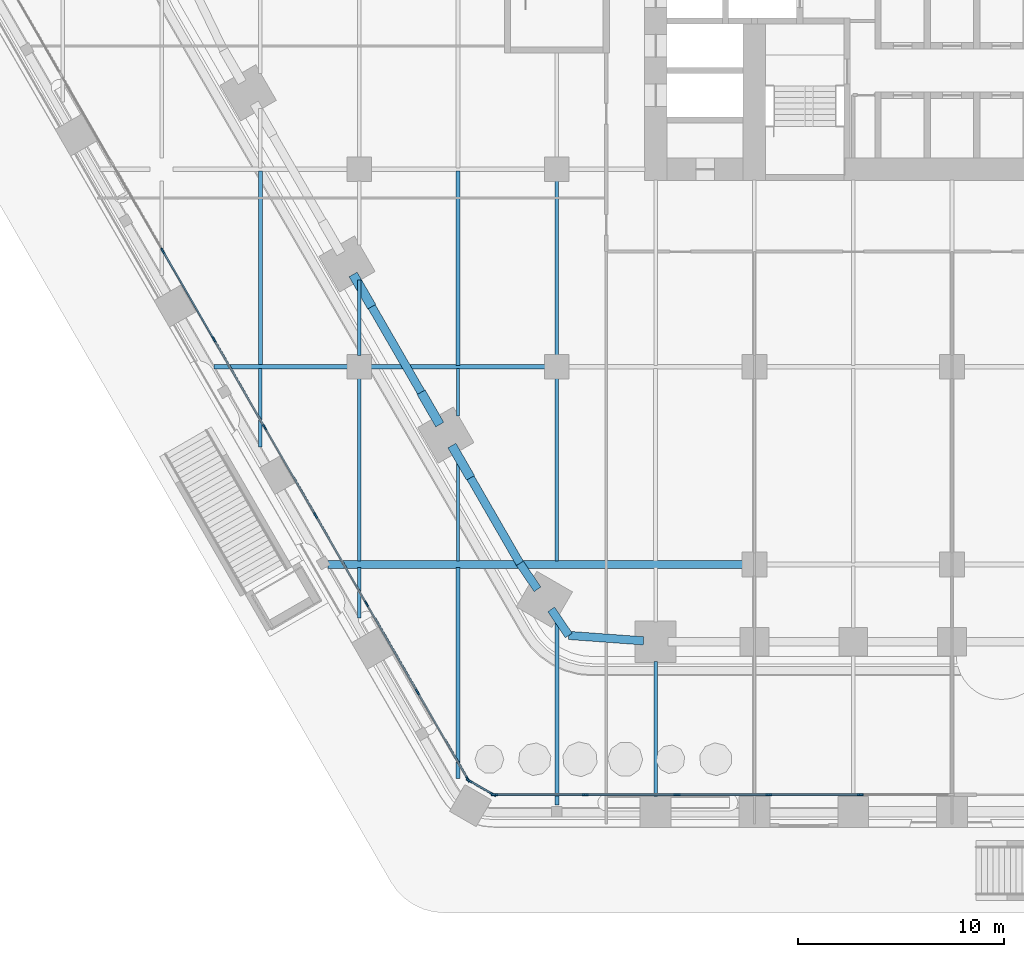
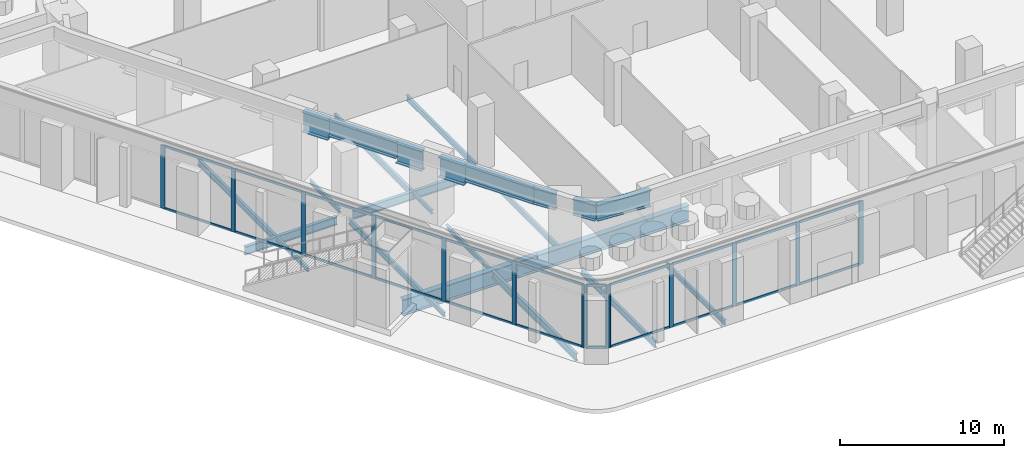
# One storey, part 2 of 34: 36 members, 24 beams, 3 elements without a shape of their own.
"""IFC4 building model written with IfcOpenShell, lengths in metres."""

from ifc_helpers import new_model, si_unit, direction, frame, origin, origin_2d, place, context, subcontext, project, spatial, rectangle, i_section, extrude, material, material_profile, profile_set, type_object, element, aggregate, save


model = new_model("IFC4")

# Units and contexts
model_context = context("Model", 3, precision=1e-05, world=origin(), true_north=direction((0.0, 1.0)))
body_context = subcontext(model_context, "Body", "Model", "MODEL_VIEW")
ifc_project = project(units=[si_unit("LENGTHUNIT", "METRE"), si_unit("AREAUNIT", "SQUARE_METRE"), si_unit("VOLUMEUNIT", "CUBIC_METRE"), si_unit("PLANEANGLEUNIT", "RADIAN"), si_unit("MASSUNIT", "GRAM", prefix="KILO")], contexts=[model_context])

# Site, building, storey
site_placement = place(None, origin())
site = spatial("IfcSite", under=ifc_project, at=site_placement, CompositionType="ELEMENT")
building_placement = place(site_placement, origin())
building = spatial("IfcBuilding", under=site, at=building_placement, Name="Kolab Exchange Tower", CompositionType="ELEMENT")
storey_placement = place(building_placement, frame((0.0, 0.0, 12.39990234375)))
storey = spatial("IfcBuildingStorey", under=building, at=storey_placement, Name="L02", CompositionType="ELEMENT", Elevation=12.39990234375)

# Beams
ifc_material_1 = material(Name="Steel S355", Category="steel")
ifc_material_profile_1 = material_profile(ifc_material_1, i_section(OverallWidth=0.1650390625, OverallDepth=0.31005859375, WebThickness=0.005859375, FlangeThickness=0.009765625, at=origin_2d()), Name="W310X39")
ifc_profile_set_1 = profile_set([ifc_material_profile_1], Name="Steel S355")
beam_type_1 = type_object("IfcBeamType", Name="FLOOR BEAM W310X39", PredefinedType="BEAM", material=ifc_profile_set_1)
beam_1_placement = place(storey_placement, frame((-33.60009765625, -23.08154296875, -0.454833984375), z_axis=(0.0, 1.0, 0.0), x_axis=(-1.0, 0.0, 0.0)))
element("IfcBeam", 1, at=beam_1_placement, inside=storey, type_object=beam_type_1, Name="beam/L02/fr/006", PredefinedType="BEAM", context=body_context, shape_type="SweptSolid", body=[
    extrude(i_section(OverallWidth=0.1650390625, OverallDepth=0.31005859375, WebThickness=0.005859375, FlangeThickness=0.009765625, at=origin_2d()), origin(), (0.0, 0.0, 1.0), 3.8076171875),
])
beam_2_placement = place(storey_placement, frame((-28.800048828125, -31.3955078125, -0.454833984375), z_axis=(0.0, 1.0, 0.0), x_axis=(-1.0, 0.0, 0.0)))
element("IfcBeam", 2, at=beam_2_placement, inside=storey, type_object=beam_type_1, Name="beam/L02/fr/013", PredefinedType="BEAM", context=body_context, shape_type="SweptSolid", body=[
    extrude(i_section(OverallWidth=0.1650390625, OverallDepth=0.31005859375, WebThickness=0.005859375, FlangeThickness=0.009765625, at=origin_2d()), origin(), (0.0, 0.0, 1.0), 2.435546875),
])
beam_3_placement = place(storey_placement, frame((-28.800048828125, -18.639892578125, -0.454833984375), z_axis=(0.0, 1.0, 0.0), x_axis=(-1.0, 0.0, 0.0)))
element("IfcBeam", 3, at=beam_3_placement, inside=storey, type_object=beam_type_1, Name="beam/L02/fr/015", PredefinedType="BEAM", context=body_context, shape_type="SweptSolid", body=[
    extrude(i_section(OverallWidth=0.1650390625, OverallDepth=0.31005859375, WebThickness=0.005859375, FlangeThickness=0.009765625, at=origin_2d()), origin(), (0.0, 0.0, 1.0), 3.668701171875),
])
beam_4_placement = place(storey_placement, frame((-24.0, -28.639892578125, -0.454833984375), z_axis=(0.0, 1.0, 0.0), x_axis=(-1.0, 0.0, 0.0)))
element("IfcBeam", 4, at=beam_4_placement, inside=storey, type_object=beam_type_1, Name="beam/L02/fr/023", PredefinedType="BEAM", context=body_context, shape_type="SweptSolid", body=[
    extrude(i_section(OverallWidth=0.1650390625, OverallDepth=0.31005859375, WebThickness=0.005859375, FlangeThickness=0.009765625, at=origin_2d()), origin(), (0.0, 0.0, 1.0), 5.35498046875),
])
beam_5_placement = place(storey_placement, frame((-24.0, -21.58154296875, -0.454833984375), z_axis=(0.0, 1.0, 0.0), x_axis=(-1.0, 0.0, 0.0)))
element("IfcBeam", 5, at=beam_5_placement, inside=storey, type_object=beam_type_1, Name="beam/L02/fr/024", PredefinedType="BEAM", context=body_context, shape_type="SweptSolid", body=[
    extrude(i_section(OverallWidth=0.1650390625, OverallDepth=0.31005859375, WebThickness=0.005859375, FlangeThickness=0.009765625, at=origin_2d()), origin(), (0.0, 0.0, 1.0), 2.3076171875),
])
ifc_material_profile_2 = material_profile(ifc_material_1, i_section(OverallWidth=0.1708984375, OverallDepth=0.35498046875, WebThickness=0.007080078125, FlangeThickness=0.01171875, at=origin_2d()), Name="W360X51")
ifc_profile_set_2 = profile_set([ifc_material_profile_2], Name="Steel S355")
beam_type_2 = type_object("IfcBeamType", Name="FLOOR BEAM W360X51", PredefinedType="BEAM", material=ifc_profile_set_2)
beam_6_placement = place(storey_placement, frame((-14.39990234375, -40.6591796875, -0.477294921875), z_axis=(0.0, 1.0, 0.0), x_axis=(-1.0, 0.0, 0.0)))
element("IfcBeam", 6, at=beam_6_placement, inside=storey, type_object=beam_type_2, Name="beam/L02/fr/039", PredefinedType="BEAM", context=body_context, shape_type="SweptSolid", body=[
    extrude(i_section(OverallWidth=0.1708984375, OverallDepth=0.35498046875, WebThickness=0.007080078125, FlangeThickness=0.01171875, at=origin_2d()), origin(), (0.0, 0.0, 1.0), 7.143798828125),
])
ifc_material_profile_3 = material_profile(ifc_material_1, i_section(OverallWidth=0.177978515625, OverallDepth=0.406982421875, WebThickness=0.0078125, FlangeThickness=0.0126953125, at=origin_2d()), Name="W410X60")
ifc_profile_set_3 = profile_set([ifc_material_profile_3], Name="Steel S355")
beam_type_3 = type_object("IfcBeamType", Name="FLOOR BEAM W410X60", PredefinedType="BEAM", material=ifc_profile_set_3)
for number, where, z_axis, x_axis, name in (
    (7, (-28.800048828125, -28.639892578125, -0.50341796875), (0.0, 1.0, 0.0), (-1.0, 0.0, 0.0), "beam/L02/fr/014"),
    (8, (-19.199951171875, -28.639892578125, -0.50341796875), (0.0, 1.0, 0.0), (-1.0, 0.0, 0.0), "beam/L02/fr/032"),
):
    element("IfcBeam", number, at=place(storey_placement, frame(where, z_axis=z_axis, x_axis=x_axis)), inside=storey, type_object=beam_type_3, Name=name, PredefinedType="BEAM", context=body_context, shape_type="SweptSolid", body=[
        extrude(i_section(OverallWidth=0.177978515625, OverallDepth=0.406982421875, WebThickness=0.0078125, FlangeThickness=0.0126953125, at=origin_2d()), origin(), (0.0, 0.0, 1.0), 8.8798828125),
    ])
beam_7_placement = place(storey_placement, frame((-19.199951171875, -18.639892578125, -0.50341796875), z_axis=(0.0, 1.0, 0.0), x_axis=(-1.0, 0.0, 0.0)))
element("IfcBeam", 9, at=beam_7_placement, inside=storey, type_object=beam_type_3, Name="beam/L02/fr/033", PredefinedType="BEAM", context=body_context, shape_type="SweptSolid", body=[
    extrude(i_section(OverallWidth=0.177978515625, OverallDepth=0.406982421875, WebThickness=0.0078125, FlangeThickness=0.0126953125, at=origin_2d()), origin(), (0.0, 0.0, 1.0), 8.47998046875),
])
ifc_material_profile_4 = material_profile(ifc_material_1, i_section(OverallWidth=0.18994140625, OverallDepth=0.45703125, WebThickness=0.009033203125, FlangeThickness=0.014404296875, at=origin_2d()), Name="W460X74")
ifc_profile_set_4 = profile_set([ifc_material_profile_4], Name="Steel S355")
beam_type_4 = type_object("IfcBeamType", Name="FLOOR BEAM W460X74", PredefinedType="BEAM", material=ifc_profile_set_4)
for number, where, z_axis, x_axis, name in (
    (10, (-33.60009765625, -19.1259765625, -0.5283203125), (0.0, 1.0, 0.0), (-1.0, 0.0, 0.0), "beam/L02/fr/007"),
    (11, (-24.0, -19.1259765625, -0.5283203125), (0.0, 1.0, 0.0), (-1.0, 0.0, 0.0), "beam/L02/fr/025"),
):
    element("IfcBeam", number, at=place(storey_placement, frame(where, z_axis=z_axis, x_axis=x_axis)), inside=storey, type_object=beam_type_4, Name=name, PredefinedType="BEAM", context=body_context, shape_type="SweptSolid", body=[
        extrude(i_section(OverallWidth=0.18994140625, OverallDepth=0.45703125, WebThickness=0.009033203125, FlangeThickness=0.014404296875, at=origin_2d()), origin(), (0.0, 0.0, 1.0), 9.451904296875),
    ])
beam_8_placement = place(storey_placement, frame((-19.199951171875, -40.498291015625, -0.5283203125), z_axis=(0.0, 1.0, 0.0), x_axis=(-1.0, 0.0, 0.0)))
element("IfcBeam", 12, at=beam_8_placement, inside=storey, type_object=beam_type_4, Name="beam/L02/fr/031", PredefinedType="BEAM", context=body_context, shape_type="SweptSolid", body=[
    extrude(i_section(OverallWidth=0.18994140625, OverallDepth=0.45703125, WebThickness=0.009033203125, FlangeThickness=0.014404296875, at=origin_2d()), origin(), (0.0, 0.0, 1.0), 9.08984375),
])
ifc_material_profile_5 = material_profile(ifc_material_1, i_section(OverallWidth=0.208984375, OverallDepth=0.532958984375, WebThickness=0.01025390625, FlangeThickness=0.015625, at=origin_2d()), Name="W530X92")
ifc_profile_set_5 = profile_set([ifc_material_profile_5], Name="Steel S355")
beam_type_5 = type_object("IfcBeamType", Name="FLOOR BEAM W530X92", PredefinedType="BEAM", material=ifc_profile_set_5)
beam_9_placement = place(storey_placement, frame((-24.0, -39.205078125, -0.56640625), z_axis=(0.0, 1.0, 0.0), x_axis=(-1.0, 0.0, 0.0)))
element("IfcBeam", 13, at=beam_9_placement, inside=storey, type_object=beam_type_5, Name="beam/L02/fr/022", PredefinedType="BEAM", context=body_context, shape_type="SweptSolid", body=[
    extrude(i_section(OverallWidth=0.208984375, OverallDepth=0.532958984375, WebThickness=0.01025390625, FlangeThickness=0.015625, at=origin_2d()), origin(), (0.0, 0.0, 1.0), 10.2451171875),
])
ifc_material_profile_6 = material_profile(ifc_material_1, i_section(OverallWidth=0.39990234375, OverallDepth=1.199951171875, WebThickness=0.02490234375, FlangeThickness=0.0400390625, at=origin_2d()), Name="PG1200X400")
ifc_profile_set_6 = profile_set([ifc_material_profile_6], Name="Steel S355")
beam_type_6 = type_object("IfcBeamType", Name="FLOOR GIRDER PG1200X400", PredefinedType="BEAM", material=ifc_profile_set_6)
beam_10_placement = place(storey_placement, frame((-30.315185546875, -28.800048828125, -0.89990234375), z_axis=(1.0, 0.0, 0.0), x_axis=(0.0, 1.0, 0.0)))
element("IfcBeam", 14, at=beam_10_placement, inside=storey, type_object=beam_type_6, Name="beam/L02/gd/008", PredefinedType="BEAM", context=body_context, shape_type="SweptSolid", body=[
    extrude(i_section(OverallWidth=0.39990234375, OverallDepth=1.199951171875, WebThickness=0.02490234375, FlangeThickness=0.0400390625, at=origin_2d()), origin(), (0.0, 0.0, 1.0), 20.1552734375),
])
ifc_material_profile_7 = material_profile(ifc_material_1, i_section(OverallWidth=0.22802734375, OverallDepth=0.60791015625, WebThickness=0.01123046875, FlangeThickness=0.017333984375, at=origin_2d()), Name="W610X113")
ifc_profile_set_7 = profile_set([ifc_material_profile_7], Name="Steel S355")
beam_type_7 = type_object("IfcBeamType", Name="FLOOR GIRDER W610X113", PredefinedType="BEAM", material=ifc_profile_set_7)
beam_11_placement = place(storey_placement, frame((-35.85791015625, -19.199951171875, -0.60400390625), z_axis=(1.0, 0.0, 0.0), x_axis=(0.0, 1.0, 0.0)))
element("IfcBeam", 15, at=beam_11_placement, inside=storey, type_object=beam_type_7, Name="beam/L02/gd/005", PredefinedType="BEAM", context=body_context, shape_type="SweptSolid", body=[
    extrude(i_section(OverallWidth=0.22802734375, OverallDepth=0.60791015625, WebThickness=0.01123046875, FlangeThickness=0.017333984375, at=origin_2d()), origin(), (0.0, 0.0, 1.0), 6.497802734375),
])
beam_12_placement = place(storey_placement, frame((-28.239990234375, -19.199951171875, -0.60400390625), z_axis=(1.0, 0.0, 0.0), x_axis=(0.0, 1.0, 0.0)))
element("IfcBeam", 16, at=beam_12_placement, inside=storey, type_object=beam_type_7, Name="beam/L02/gd/010", PredefinedType="BEAM", context=body_context, shape_type="SweptSolid", body=[
    extrude(i_section(OverallWidth=0.22802734375, OverallDepth=0.60791015625, WebThickness=0.01123046875, FlangeThickness=0.017333984375, at=origin_2d()), origin(), (0.0, 0.0, 1.0), 8.47998046875),
])

# Curtain wall, members
ifc_material_2 = material(Name="Aluminium EN AW-6063 T6", Category="aluminium")
curtain_wall_type = type_object("IfcCurtainWallType", Name="PODIUM STRUCTURAL GLAZING CURTAIN WALL", PredefinedType="NOTDEFINED", material=ifc_material_2)
curtain_wall_1_placement = place(storey_placement, origin())
curtain_wall_1 = element("IfcCurtainWall", 17, at=curtain_wall_1_placement, inside=storey, type_object=curtain_wall_type, Name="cw/L02/F4-2", PredefinedType="NOTDEFINED")
ifc_material_profile_8 = material_profile(ifc_material_2, rectangle(XDim=0.080078125, YDim=0.300048828125, at=origin_2d()), Name="RECT 80X300")
ifc_profile_set_8 = profile_set([ifc_material_profile_8], Name="Aluminium EN AW-6063 T6")
member_type_1 = type_object("IfcMemberType", Name="PODIUM STRUCTURAL GLAZING MULLION 80 X 300", PredefinedType="MULLION", material=ifc_profile_set_8)
member_1_placement = place(storey_placement, frame((-4.45361328125, -39.9892578125, 0.0), z_axis=(0.0, 0.0, 1.0), x_axis=(0.0, -1.0, 0.0)))
member_1 = element("IfcMember", 18, at=member_1_placement, type_object=member_type_1, Name="CW5 mullion 2", PredefinedType="MULLION", context=body_context, shape_type="SweptSolid", body=[
    extrude(rectangle(XDim=0.080078125, YDim=0.300048828125, at=origin_2d()), origin(), (0.0, 0.0, 1.0), 4.7001953125),
])
member_2_placement = place(storey_placement, frame((-8.9072265625, -39.9892578125, 0.0), z_axis=(0.0, 0.0, 1.0), x_axis=(0.0, -1.0, 0.0)))
member_2 = element("IfcMember", 19, at=member_2_placement, type_object=member_type_1, Name="CW5 mullion 3", PredefinedType="MULLION", context=body_context, shape_type="SweptSolid", body=[
    extrude(rectangle(XDim=0.080078125, YDim=0.300048828125, at=origin_2d()), origin(), (0.0, 0.0, 1.0), 4.7001953125),
])
member_3_placement = place(storey_placement, frame((-13.36083984375, -39.9892578125, 0.0), z_axis=(0.0, 0.0, 1.0), x_axis=(0.0, -1.0, 0.0)))
member_3 = element("IfcMember", 20, at=member_3_placement, type_object=member_type_1, Name="CW5 mullion 4", PredefinedType="MULLION", context=body_context, shape_type="SweptSolid", body=[
    extrude(rectangle(XDim=0.080078125, YDim=0.300048828125, at=origin_2d()), origin(), (0.0, 0.0, 1.0), 4.7001953125),
])
member_4_placement = place(storey_placement, frame((-17.814453125, -39.9892578125, 0.0), z_axis=(0.0, 0.0, 1.0), x_axis=(0.0, -1.0, 0.0)))
member_4 = element("IfcMember", 21, at=member_4_placement, type_object=member_type_1, Name="CW5 mullion 5", PredefinedType="MULLION", context=body_context, shape_type="SweptSolid", body=[
    extrude(rectangle(XDim=0.080078125, YDim=0.300048828125, at=origin_2d()), origin(), (0.0, 0.0, 1.0), 4.7001953125),
])
member_5_placement = place(storey_placement, frame((-22.22802734375, -39.9892578125, 0.0), z_axis=(0.0, 0.0, 1.0), x_axis=(0.0, -1.0, 0.0)))
member_5 = element("IfcMember", 22, at=member_5_placement, type_object=member_type_1, Name="CW5 mullion 6", PredefinedType="MULLION", context=body_context, shape_type="SweptSolid", body=[
    extrude(rectangle(XDim=0.080078125, YDim=0.300048828125, at=origin_2d()), origin(), (0.0, 0.0, 1.0), 4.7001953125),
])

curtain_wall_2_placement = place(storey_placement, origin())
curtain_wall_2 = element("IfcCurtainWall", 23, at=curtain_wall_2_placement, inside=storey, type_object=curtain_wall_type, Name="cw/L02/F5-1", PredefinedType="NOTDEFINED")
member_6_placement = place(storey_placement, frame((-23.517822265625, -39.24462890625, 0.0), z_axis=(0.0, 0.0, 1.0), x_axis=(-0.866025403514, -0.500000000469, 0.0)))
member_6 = element("IfcMember", 24, at=member_6_placement, type_object=member_type_1, Name="CW5 mullion 1", PredefinedType="MULLION", context=body_context, shape_type="SweptSolid", body=[
    extrude(rectangle(XDim=0.080078125, YDim=0.300048828125, at=origin_2d()), origin(), (0.0, 0.0, 1.0), 4.7001953125),
])
member_7_placement = place(storey_placement, frame((-25.971923828125, -34.99365234375, 0.0), z_axis=(0.0, 0.0, 1.0), x_axis=(-0.866025403514, -0.500000000469, 0.0)))
member_7 = element("IfcMember", 25, at=member_7_placement, type_object=member_type_1, Name="CW5 mullion 2", PredefinedType="MULLION", context=body_context, shape_type="SweptSolid", body=[
    extrude(rectangle(XDim=0.080078125, YDim=0.300048828125, at=origin_2d()), origin(), (0.0, 0.0, 1.0), 4.7001953125),
])
member_8_placement = place(storey_placement, frame((-28.446044921875, -30.708251953125, 0.0), z_axis=(0.0, 0.0, 1.0), x_axis=(-0.866025403514, -0.500000000469, 0.0)))
member_8 = element("IfcMember", 26, at=member_8_placement, type_object=member_type_1, Name="CW5 mullion 3", PredefinedType="MULLION", context=body_context, shape_type="SweptSolid", body=[
    extrude(rectangle(XDim=0.080078125, YDim=0.300048828125, at=origin_2d()), origin(), (0.0, 0.0, 1.0), 4.7001953125),
])
member_9_placement = place(storey_placement, frame((-30.92041015625, -26.4228515625, 0.0), z_axis=(0.0, 0.0, 1.0), x_axis=(-0.866025403514, -0.500000000469, 0.0)))
member_9 = element("IfcMember", 27, at=member_9_placement, type_object=member_type_1, Name="CW5 mullion 4", PredefinedType="MULLION", context=body_context, shape_type="SweptSolid", body=[
    extrude(rectangle(XDim=0.080078125, YDim=0.300048828125, at=origin_2d()), origin(), (0.0, 0.0, 1.0), 4.7001953125),
])
member_10_placement = place(storey_placement, frame((-33.39453125, -22.137451171875, 0.0), z_axis=(0.0, 0.0, 1.0), x_axis=(-0.866025403514, -0.500000000469, 0.0)))
member_10 = element("IfcMember", 28, at=member_10_placement, type_object=member_type_1, Name="CW5 mullion 5", PredefinedType="MULLION", context=body_context, shape_type="SweptSolid", body=[
    extrude(rectangle(XDim=0.080078125, YDim=0.300048828125, at=origin_2d()), origin(), (0.0, 0.0, 1.0), 4.7001953125),
])
member_11_placement = place(storey_placement, frame((-35.868896484375, -17.851806640625, 0.0), z_axis=(0.0, 0.0, 1.0), x_axis=(-0.866025403514, -0.500000000469, 0.0)))
member_11 = element("IfcMember", 29, at=member_11_placement, type_object=member_type_1, Name="CW5 mullion 6", PredefinedType="MULLION", context=body_context, shape_type="SweptSolid", body=[
    extrude(rectangle(XDim=0.080078125, YDim=0.300048828125, at=origin_2d()), origin(), (0.0, 0.0, 1.0), 4.7001953125),
])
member_12_placement = place(storey_placement, frame((-38.343017578125, -13.56640625, 0.0), z_axis=(0.0, 0.0, 1.0), x_axis=(-0.866025403514, -0.500000000469, 0.0)))
member_12 = element("IfcMember", 30, at=member_12_placement, type_object=member_type_1, Name="CW5 mullion 7", PredefinedType="MULLION", context=body_context, shape_type="SweptSolid", body=[
    extrude(rectangle(XDim=0.080078125, YDim=0.300048828125, at=origin_2d()), origin(), (0.0, 0.0, 1.0), 4.7001953125),
])

curtain_wall_3_placement = place(storey_placement, origin())
curtain_wall_3 = element("IfcCurtainWall", 31, at=curtain_wall_3_placement, inside=storey, type_object=curtain_wall_type, Name="cw/L02/F4F5-corner", PredefinedType="NOTDEFINED")
member_13_placement = place(storey_placement, frame((-22.302490234375, -39.96923828125, 0.0), z_axis=(0.0, 0.0, 1.0), x_axis=(-0.50000002237, -0.866025390869, 0.0)))
member_13 = element("IfcMember", 32, at=member_13_placement, type_object=member_type_1, Name="CW5 mullion 1", PredefinedType="MULLION", context=body_context, shape_type="SweptSolid", body=[
    extrude(rectangle(XDim=0.080078125, YDim=0.300048828125, at=origin_2d()), origin(), (0.0, 0.0, 1.0), 4.7001953125),
])
member_14_placement = place(storey_placement, frame((-23.463134765625, -39.29931640625, 0.0), z_axis=(0.0, 0.0, 1.0), x_axis=(-0.50000002237, -0.866025390869, 0.0)))
member_14 = element("IfcMember", 33, at=member_14_placement, type_object=member_type_1, Name="CW5 mullion 2", PredefinedType="MULLION", context=body_context, shape_type="SweptSolid", body=[
    extrude(rectangle(XDim=0.080078125, YDim=0.300048828125, at=origin_2d()), origin(), (0.0, 0.0, 1.0), 4.7001953125),
])

# Member
ifc_material_profile_9 = material_profile(ifc_material_2, rectangle(XDim=0.080078125, YDim=0.179931640625, at=origin_2d()), Name="RECT 80X180")
ifc_profile_set_9 = profile_set([ifc_material_profile_9], Name="Aluminium EN AW-6063 T6")
member_type_2 = type_object("IfcMemberType", Name="PODIUM STRUCTURAL GLAZING TRANSOM 80 X 180", PredefinedType="USERDEFINED", material=ifc_profile_set_9)
member_15_placement = place(storey_placement, frame((-4.49365234375, -39.9892578125, 0.0400390625), z_axis=(-1.0, 0.0, 0.0), x_axis=(0.0, -1.0, 0.0)))
member_15 = element("IfcMember", 34, at=member_15_placement, type_object=member_type_2, Name="CW5 transom 2.1", ObjectType="TRANSOM", PredefinedType="USERDEFINED", context=body_context, shape_type="SweptSolid", body=[
    extrude(rectangle(XDim=0.080078125, YDim=0.179931640625, at=origin_2d()), origin(), (0.0, 0.0, 1.0), 4.37353515625),
])

member_16_placement = place(storey_placement, frame((-4.49365234375, -39.9892578125, 4.66015625), z_axis=(-1.0, 0.0, 0.0), x_axis=(0.0, -1.0, 0.0)))
member_16 = element("IfcMember", 35, at=member_16_placement, type_object=member_type_2, Name="CW5 transom 2.2", ObjectType="TRANSOM", PredefinedType="USERDEFINED", context=body_context, shape_type="SweptSolid", body=[
    extrude(rectangle(XDim=0.080078125, YDim=0.179931640625, at=origin_2d()), origin(), (0.0, 0.0, 1.0), 4.37353515625),
])

member_17_placement = place(storey_placement, frame((-8.947265625, -39.9892578125, 0.0400390625), z_axis=(-1.0, 0.0, 0.0), x_axis=(0.0, -1.0, 0.0)))
member_17 = element("IfcMember", 36, at=member_17_placement, type_object=member_type_2, Name="CW5 transom 3.1", ObjectType="TRANSOM", PredefinedType="USERDEFINED", context=body_context, shape_type="SweptSolid", body=[
    extrude(rectangle(XDim=0.080078125, YDim=0.179931640625, at=origin_2d()), origin(), (0.0, 0.0, 1.0), 4.37353515625),
])

member_18_placement = place(storey_placement, frame((-8.947265625, -39.9892578125, 4.66015625), z_axis=(-1.0, 0.0, 0.0), x_axis=(0.0, -1.0, 0.0)))
member_18 = element("IfcMember", 37, at=member_18_placement, type_object=member_type_2, Name="CW5 transom 3.2", ObjectType="TRANSOM", PredefinedType="USERDEFINED", context=body_context, shape_type="SweptSolid", body=[
    extrude(rectangle(XDim=0.080078125, YDim=0.179931640625, at=origin_2d()), origin(), (0.0, 0.0, 1.0), 4.37353515625),
])

member_19_placement = place(storey_placement, frame((-13.40087890625, -39.9892578125, 0.0400390625), z_axis=(-1.0, 0.0, 0.0), x_axis=(0.0, -1.0, 0.0)))
member_19 = element("IfcMember", 38, at=member_19_placement, type_object=member_type_2, Name="CW5 transom 4.1", ObjectType="TRANSOM", PredefinedType="USERDEFINED", context=body_context, shape_type="SweptSolid", body=[
    extrude(rectangle(XDim=0.080078125, YDim=0.179931640625, at=origin_2d()), origin(), (0.0, 0.0, 1.0), 4.37353515625),
])

member_20_placement = place(storey_placement, frame((-13.40087890625, -39.9892578125, 4.66015625), z_axis=(-1.0, 0.0, 0.0), x_axis=(0.0, -1.0, 0.0)))
member_20 = element("IfcMember", 39, at=member_20_placement, type_object=member_type_2, Name="CW5 transom 4.2", ObjectType="TRANSOM", PredefinedType="USERDEFINED", context=body_context, shape_type="SweptSolid", body=[
    extrude(rectangle(XDim=0.080078125, YDim=0.179931640625, at=origin_2d()), origin(), (0.0, 0.0, 1.0), 4.37353515625),
])

member_21_placement = place(storey_placement, frame((-17.854248046875, -39.9892578125, 0.0400390625), z_axis=(-1.0, 0.0, 0.0), x_axis=(0.0, -1.0, 0.0)))
member_21 = element("IfcMember", 40, at=member_21_placement, type_object=member_type_2, Name="CW5 transom 5.1", ObjectType="TRANSOM", PredefinedType="USERDEFINED", context=body_context, shape_type="SweptSolid", body=[
    extrude(rectangle(XDim=0.080078125, YDim=0.179931640625, at=origin_2d()), origin(), (0.0, 0.0, 1.0), 4.333740234375),
])

member_22_placement = place(storey_placement, frame((-17.854248046875, -39.9892578125, 4.66015625), z_axis=(-1.0, 0.0, 0.0), x_axis=(0.0, -1.0, 0.0)))
member_22 = element("IfcMember", 41, at=member_22_placement, type_object=member_type_2, Name="CW5 transom 5.2", ObjectType="TRANSOM", PredefinedType="USERDEFINED", context=body_context, shape_type="SweptSolid", body=[
    extrude(rectangle(XDim=0.080078125, YDim=0.179931640625, at=origin_2d()), origin(), (0.0, 0.0, 1.0), 4.333740234375),
])

aggregate(curtain_wall_1, [member_1, member_2, member_3, member_4, member_5, member_15, member_16, member_17, member_18, member_19, member_20, member_21, member_22])

member_23_placement = place(storey_placement, frame((-23.53759765625, -39.2099609375, 0.0400390625), z_axis=(-0.50000548301, 0.866022238144, 0.0), x_axis=(-0.866022238144, -0.50000548301, 0.0)))
member_23 = element("IfcMember", 42, at=member_23_placement, type_object=member_type_2, Name="CW5 transom 1.1", ObjectType="TRANSOM", PredefinedType="USERDEFINED", context=body_context, shape_type="SweptSolid", body=[
    extrude(rectangle(XDim=0.080078125, YDim=0.179931640625, at=origin_2d()), origin(), (0.0, 0.0, 1.0), 4.82861328125),
])

member_24_placement = place(storey_placement, frame((-23.53759765625, -39.2099609375, 4.66015625), z_axis=(-0.50000548301, 0.866022238144, 0.0), x_axis=(-0.866022238144, -0.50000548301, 0.0)))
member_24 = element("IfcMember", 43, at=member_24_placement, type_object=member_type_2, Name="CW5 transom 1.2", ObjectType="TRANSOM", PredefinedType="USERDEFINED", context=body_context, shape_type="SweptSolid", body=[
    extrude(rectangle(XDim=0.080078125, YDim=0.179931640625, at=origin_2d()), origin(), (0.0, 0.0, 1.0), 4.82861328125),
])

member_25_placement = place(storey_placement, frame((-25.991943359375, -34.959228515625, 0.0400390625), z_axis=(-0.499968438888, 0.866043624834, 0.0), x_axis=(-0.866043624834, -0.499968438888, 0.0)))
member_25 = element("IfcMember", 44, at=member_25_placement, type_object=member_type_2, Name="CW5 transom 2.1", ObjectType="TRANSOM", PredefinedType="USERDEFINED", context=body_context, shape_type="SweptSolid", body=[
    extrude(rectangle(XDim=0.080078125, YDim=0.179931640625, at=origin_2d()), origin(), (0.0, 0.0, 1.0), 4.868408203125),
])

member_26_placement = place(storey_placement, frame((-25.991943359375, -34.959228515625, 4.66015625), z_axis=(-0.499968438888, 0.866043624834, 0.0), x_axis=(-0.866043624834, -0.499968438888, 0.0)))
member_26 = element("IfcMember", 45, at=member_26_placement, type_object=member_type_2, Name="CW5 transom 2.2", ObjectType="TRANSOM", PredefinedType="USERDEFINED", context=body_context, shape_type="SweptSolid", body=[
    extrude(rectangle(XDim=0.080078125, YDim=0.179931640625, at=origin_2d()), origin(), (0.0, 0.0, 1.0), 4.868408203125),
])

member_27_placement = place(storey_placement, frame((-28.466064453125, -30.673583984375, 0.0400390625), z_axis=(-0.500027764349, 0.866009373437, 0.0), x_axis=(-0.866009373437, -0.500027764349, 0.0)))
member_27 = element("IfcMember", 46, at=member_27_placement, type_object=member_type_2, Name="CW5 transom 3.1", ObjectType="TRANSOM", PredefinedType="USERDEFINED", context=body_context, shape_type="SweptSolid", body=[
    extrude(rectangle(XDim=0.080078125, YDim=0.179931640625, at=origin_2d()), origin(), (0.0, 0.0, 1.0), 4.868408203125),
])

member_28_placement = place(storey_placement, frame((-28.466064453125, -30.673583984375, 4.66015625), z_axis=(-0.500027764349, 0.866009373437, 0.0), x_axis=(-0.866009373437, -0.500027764349, 0.0)))
member_28 = element("IfcMember", 47, at=member_28_placement, type_object=member_type_2, Name="CW5 transom 3.2", ObjectType="TRANSOM", PredefinedType="USERDEFINED", context=body_context, shape_type="SweptSolid", body=[
    extrude(rectangle(XDim=0.080078125, YDim=0.179931640625, at=origin_2d()), origin(), (0.0, 0.0, 1.0), 4.868408203125),
])

member_29_placement = place(storey_placement, frame((-30.9404296875, -26.38818359375, 0.0400390625), z_axis=(-0.499968438888, 0.866043624834, 0.0), x_axis=(-0.866043624834, -0.499968438888, 0.0)))
member_29 = element("IfcMember", 48, at=member_29_placement, type_object=member_type_2, Name="CW5 transom 4.1", ObjectType="TRANSOM", PredefinedType="USERDEFINED", context=body_context, shape_type="SweptSolid", body=[
    extrude(rectangle(XDim=0.080078125, YDim=0.179931640625, at=origin_2d()), origin(), (0.0, 0.0, 1.0), 4.868408203125),
])

member_30_placement = place(storey_placement, frame((-30.9404296875, -26.38818359375, 4.66015625), z_axis=(-0.499968438888, 0.866043624834, 0.0), x_axis=(-0.866043624834, -0.499968438888, 0.0)))
member_30 = element("IfcMember", 49, at=member_30_placement, type_object=member_type_2, Name="CW5 transom 4.2", ObjectType="TRANSOM", PredefinedType="USERDEFINED", context=body_context, shape_type="SweptSolid", body=[
    extrude(rectangle(XDim=0.080078125, YDim=0.179931640625, at=origin_2d()), origin(), (0.0, 0.0, 1.0), 4.868408203125),
])

member_31_placement = place(storey_placement, frame((-33.41455078125, -22.102783203125, 0.0400390625), z_axis=(-0.50000604952, 0.866021911064, 0.0), x_axis=(-0.866021911064, -0.50000604952, 0.0)))
member_31 = element("IfcMember", 50, at=member_31_placement, type_object=member_type_2, Name="CW5 transom 5.1", ObjectType="TRANSOM", PredefinedType="USERDEFINED", context=body_context, shape_type="SweptSolid", body=[
    extrude(rectangle(XDim=0.080078125, YDim=0.179931640625, at=origin_2d()), origin(), (0.0, 0.0, 1.0), 4.86865234375),
])

member_32_placement = place(storey_placement, frame((-33.41455078125, -22.102783203125, 4.66015625), z_axis=(-0.50000604952, 0.866021911064, 0.0), x_axis=(-0.866021911064, -0.50000604952, 0.0)))
member_32 = element("IfcMember", 51, at=member_32_placement, type_object=member_type_2, Name="CW5 transom 5.2", ObjectType="TRANSOM", PredefinedType="USERDEFINED", context=body_context, shape_type="SweptSolid", body=[
    extrude(rectangle(XDim=0.080078125, YDim=0.179931640625, at=origin_2d()), origin(), (0.0, 0.0, 1.0), 4.86865234375),
])

member_33_placement = place(storey_placement, frame((-35.888671875, -17.817138671875, 0.0400390625), z_axis=(-0.500027764349, 0.866009373437, 0.0), x_axis=(-0.866009373437, -0.500027764349, 0.0)))
member_33 = element("IfcMember", 52, at=member_33_placement, type_object=member_type_2, Name="CW5 transom 6.1", ObjectType="TRANSOM", PredefinedType="USERDEFINED", context=body_context, shape_type="SweptSolid", body=[
    extrude(rectangle(XDim=0.080078125, YDim=0.179931640625, at=origin_2d()), origin(), (0.0, 0.0, 1.0), 4.868408203125),
])

member_34_placement = place(storey_placement, frame((-35.888671875, -17.817138671875, 4.66015625), z_axis=(-0.500027764349, 0.866009373437, 0.0), x_axis=(-0.866009373437, -0.500027764349, 0.0)))
member_34 = element("IfcMember", 53, at=member_34_placement, type_object=member_type_2, Name="CW5 transom 6.2", ObjectType="TRANSOM", PredefinedType="USERDEFINED", context=body_context, shape_type="SweptSolid", body=[
    extrude(rectangle(XDim=0.080078125, YDim=0.179931640625, at=origin_2d()), origin(), (0.0, 0.0, 1.0), 4.868408203125),
])

aggregate(curtain_wall_2, [member_6, member_7, member_8, member_9, member_10, member_11, member_12, member_23, member_24, member_25, member_26, member_27, member_28, member_29, member_30, member_31, member_32, member_33, member_34])

member_35_placement = place(storey_placement, frame((-22.337158203125, -39.94921875, 0.0400390625), z_axis=(-0.866088799389, 0.499890179513, 0.0), x_axis=(-0.499890179513, -0.866088799389, 0.0)))
member_35 = element("IfcMember", 54, at=member_35_placement, type_object=member_type_2, Name="CW5 transom 1.1", ObjectType="TRANSOM", PredefinedType="USERDEFINED", context=body_context, shape_type="SweptSolid", body=[
    extrude(rectangle(XDim=0.080078125, YDim=0.179931640625, at=origin_2d()), origin(), (0.0, 0.0, 1.0), 1.260009765625),
])

member_36_placement = place(storey_placement, frame((-22.337158203125, -39.94921875, 4.66015625), z_axis=(-0.866088799389, 0.499890179513, 0.0), x_axis=(-0.499890179513, -0.866088799389, 0.0)))
member_36 = element("IfcMember", 55, at=member_36_placement, type_object=member_type_2, Name="CW5 transom 1.2", ObjectType="TRANSOM", PredefinedType="USERDEFINED", context=body_context, shape_type="SweptSolid", body=[
    extrude(rectangle(XDim=0.080078125, YDim=0.179931640625, at=origin_2d()), origin(), (0.0, 0.0, 1.0), 1.260009765625),
])

aggregate(curtain_wall_3, [member_13, member_14, member_35, member_36])

# Beams
ifc_material_profile_10 = material_profile(ifc_material_1, i_section(OverallWidth=0.39990234375, OverallDepth=1.199951171875, WebThickness=0.02490234375, FlangeThickness=0.0400390625, at=origin_2d()), Name="PG1200X400")
ifc_profile_set_10 = profile_set([ifc_material_profile_10], Name="Steel S355")
beam_type_8 = type_object("IfcBeamType", Name="TRANSFER GIRDER PG1200X400", PredefinedType="BEAM", material=ifc_profile_set_10)
for number, where, z_axis, x_axis, name in (
    (56, (-19.474365234375, -30.98583984375, 4.150146484375), (0.561701097546, -0.827340242594, 0.0), (0.827340242594, 0.561701097546, 0.0), "beam/L02/tg/T-F5-01"),
    (57, (-20.13720703125, -30.009765625, 4.150146484375), (-0.561885102992, 0.827215286993, 0.0), (-0.827215286993, -0.561885102992, 0.0), "beam/L02/tg/T-F5-02"),
):
    element("IfcBeam", number, at=place(storey_placement, frame(where, z_axis=z_axis, x_axis=x_axis)), inside=storey, type_object=beam_type_8, Name=name, PredefinedType="BEAM", context=body_context, shape_type="SweptSolid", body=[
        extrude(i_section(OverallWidth=0.39990234375, OverallDepth=1.199951171875, WebThickness=0.02490234375, FlangeThickness=0.0400390625, at=origin_2d()), origin(), (0.0, 0.0, 1.0), 1.524658203125),
    ])
beam_13_placement = place(storey_placement, frame((-14.98828125, -32.512451171875, 4.150146484375), z_axis=(-0.997342647467, 0.072853576051, 0.0), x_axis=(-0.072853576051, -0.997342647467, 0.0)))
element("IfcBeam", 58, at=beam_13_placement, inside=storey, type_object=beam_type_8, Name="beam/L02/tg/T-F4-08-F5-01", PredefinedType="BEAM", context=body_context, shape_type="SweptSolid", body=[
    extrude(i_section(OverallWidth=0.39990234375, OverallDepth=1.199951171875, WebThickness=0.02490234375, FlangeThickness=0.0400390625, at=origin_2d()), origin(), (0.0, 0.0, 1.0), 3.639404296875),
])
for number, where, z_axis, x_axis, name in (
    (59, (-20.993896484375, -28.74853515625, 4.150146484375), (-0.499979284789, 0.866037363387, 0.0), (-0.866037363387, -0.499979284789, 0.0), "beam/L02/tg/T-F5-02-F5-03"),
    (60, (-25.793701171875, -20.4345703125, 4.150146484375), (-0.500017431331, 0.866015339567, 0.0), (-0.866015339567, -0.500017431331, 0.0), "beam/L02/tg/T-F5-04-F5-05"),
):
    element("IfcBeam", number, at=place(storey_placement, frame(where, z_axis=z_axis, x_axis=x_axis)), inside=storey, type_object=beam_type_8, Name=name, PredefinedType="BEAM", context=body_context, shape_type="SweptSolid", body=[
        extrude(i_section(OverallWidth=0.39990234375, OverallDepth=1.199951171875, WebThickness=0.02490234375, FlangeThickness=0.0400390625, at=origin_2d()), origin(), (0.0, 0.0, 1.0), 4.800048828125),
    ])
ifc_material_profile_11 = material_profile(ifc_material_1, i_section(OverallWidth=0.449951171875, OverallDepth=1.5, WebThickness=0.028076171875, FlangeThickness=0.044921875, at=origin_2d()), Name="PG1500X450")
ifc_profile_set_11 = profile_set([ifc_material_profile_11], Name="Steel S355")
beam_type_9 = type_object("IfcBeamType", Name="TRANSFER GIRDER PG1500X450", PredefinedType="BEAM", material=ifc_profile_set_11)
for number, where, z_axis, x_axis, name in (
    (61, (-24.298828125, -23.02392578125, 4.0), (0.499983199978, -0.866035103064, 0.0), (0.866035103064, 0.499983199978, 0.0), "beam/L02/tg/T-F5-03"),
    (62, (-24.888916015625, -22.002197265625, 4.0), (-0.499882030911, 0.866093502558, 0.0), (-0.866093502558, -0.499882030911, 0.0), "beam/L02/tg/T-F5-04"),
):
    element("IfcBeam", number, at=place(storey_placement, frame(where, z_axis=z_axis, x_axis=x_axis)), inside=storey, type_object=beam_type_9, Name=name, PredefinedType="BEAM", context=body_context, shape_type="SweptSolid", body=[
        extrude(i_section(OverallWidth=0.449951171875, OverallDepth=1.5, WebThickness=0.028076171875, FlangeThickness=0.044921875, at=origin_2d()), origin(), (0.0, 0.0, 1.0), 1.81005859375),
    ])
beam_14_placement = place(storey_placement, frame((-29.098876953125, -14.710205078125, 4.0), z_axis=(0.500041607127, -0.866001380566, 0.0), x_axis=(0.866001380566, 0.500041607127, 0.0)))
element("IfcBeam", 63, at=beam_14_placement, inside=storey, type_object=beam_type_9, Name="beam/L02/tg/T-F5-05", PredefinedType="BEAM", context=body_context, shape_type="SweptSolid", body=[
    extrude(i_section(OverallWidth=0.449951171875, OverallDepth=1.5, WebThickness=0.028076171875, FlangeThickness=0.044921875, at=origin_2d()), origin(), (0.0, 0.0, 1.0), 1.809814453125),
])

save(model, "model.ifc")
